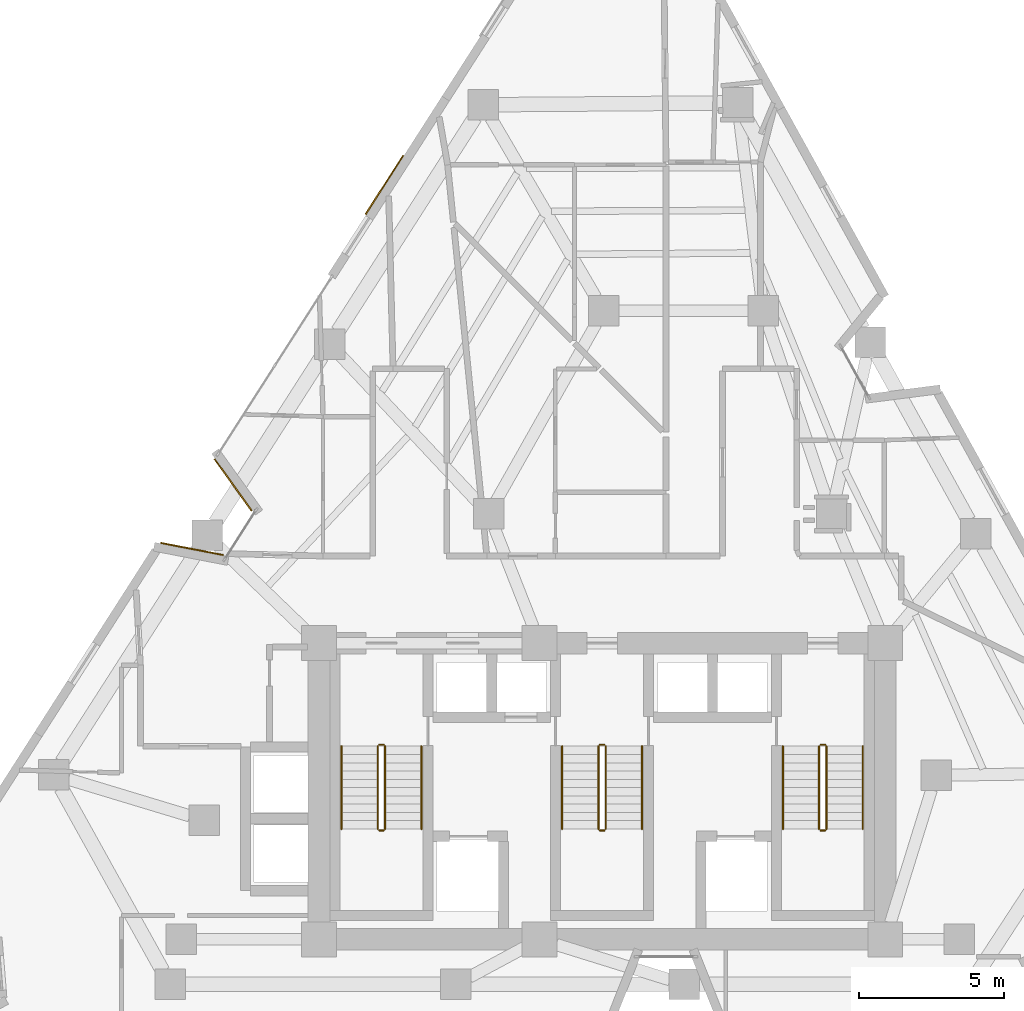
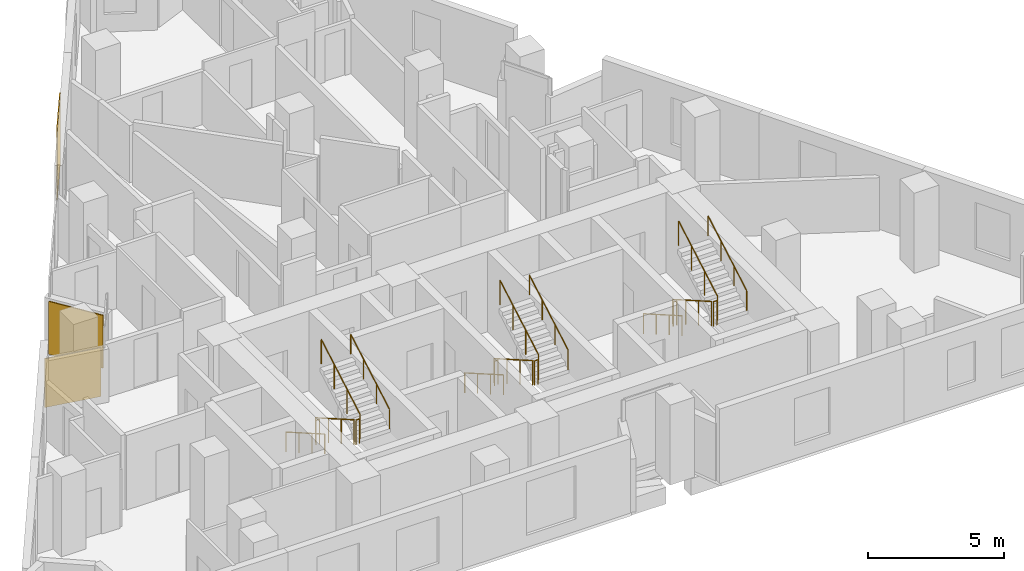
# One storey, part 10 of 11: 18 railings, 3 coverings.
"""IFC4 building model written with IfcOpenShell, lengths in metres."""

import ifcopenshell
import ifcopenshell.guid

model = None  # the IFC model being written
_history = None  # IfcOwnerHistory: only IFC2X3 demands one
_inside = {}  # id of a spatial element -> (the spatial element, [elements in it])
_under = {}  # id of a project, library or spatial element -> (it, [spatial elements below it])
_declared = {}  # id of a project -> (the project, [libraries it declares])
_typed = {}  # id of a type object -> (the type object, [elements of that type])
_made_of = {}  # id of a material, layer set ... -> (it, [elements and type objects made of it])


def new_model(schema):
    """Start an empty IFC model of exactly this schema.

    Asked for "IFC4X3", IfcOpenShell would pick the latest addendum, in which some entities
    have other attributes; the version numbers below select the first issue.
    IFC2X3 requires an IfcOwnerHistory on every rooted entity: one is made here for all.
    """
    global model, _history
    if schema == "IFC4X3":
        model = ifcopenshell.file(schema_version=(4, 3, 0, 0))
    else:
        model = ifcopenshell.file(schema=schema)
    _inside.clear()
    _under.clear()
    _declared.clear()
    _typed.clear()
    _made_of.clear()
    _history = None
    if model.schema == "IFC2X3":
        org = make("IfcOrganization", Name="unknown")
        user = make(
            "IfcPersonAndOrganization",
            ThePerson=make("IfcPerson", FamilyName="unknown"),
            TheOrganization=org,
        )
        app = make(
            "IfcApplication",
            ApplicationDeveloper=org,
            Version="unknown",
            ApplicationFullName="unknown",
            ApplicationIdentifier="unknown",
        )
        _history = make(
            "IfcOwnerHistory",
            OwningUser=user,
            OwningApplication=app,
            ChangeAction="ADDED",
            CreationDate=0,
        )
    return model


def make(cls, **values):
    """One entity of the class cls with the attributes given. An attribute that is None is left unset."""
    return model.create_entity(
        cls, **{name: value for name, value in values.items() if value is not None}
    )


def rooted(cls, **values):
    """An entity with a GlobalId (a new one), such as an element, a storey or a relation."""
    return make(cls, GlobalId=ifcopenshell.guid.new(), OwnerHistory=_history, **values)


def si_unit(unit_type, name, prefix=None):
    """IfcSIUnit, for example si_unit("LENGTHUNIT", "METRE", prefix="MILLI")."""
    return make("IfcSIUnit", UnitType=unit_type, Prefix=prefix, Name=name)


def assignment(units):
    """IfcUnitAssignment: the units of a project."""
    return None if units is None else make("IfcUnitAssignment", Units=units)


def point(xyz):
    """IfcCartesianPoint."""
    return None if xyz is None else make("IfcCartesianPoint", Coordinates=xyz)


def direction(xyz):
    """IfcDirection."""
    return None if xyz is None else make("IfcDirection", DirectionRatios=xyz)


def frame(location, z_axis=None, x_axis=None):
    """IfcAxis2Placement3D, a coordinate frame: its origin and axes. An axis left out is left unset."""
    return make(
        "IfcAxis2Placement3D",
        Location=point(location),
        Axis=direction(z_axis),
        RefDirection=direction(x_axis),
    )


def frame_2d(location, x_axis=None):
    """IfcAxis2Placement2D, a coordinate frame in the plane: its origin and x axis."""
    return make(
        "IfcAxis2Placement2D", Location=point(location), RefDirection=direction(x_axis)
    )


def origin():
    """The frame at (0, 0, 0) with its axes left unset."""
    return frame((0.0, 0.0, 0.0))


def origin_2d():
    """The frame at (0, 0) in the plane with its x axis left unset."""
    return frame_2d((0.0, 0.0))


def place(relative_to, where):
    """IfcLocalPlacement: puts the frame where relative to a parent placement (None: the world)."""
    return make(
        "IfcLocalPlacement", PlacementRelTo=relative_to, RelativePlacement=where
    )


def context(
    kind, dimensions, precision=None, world=None, true_north=None, identifier=None
):
    """IfcGeometricRepresentationContext, for example the 3D "Model" context."""
    return make(
        "IfcGeometricRepresentationContext",
        ContextIdentifier=identifier,
        ContextType=kind,
        CoordinateSpaceDimension=dimensions,
        Precision=precision,
        WorldCoordinateSystem=world,
        TrueNorth=true_north,
    )


def subcontext(parent, identifier, kind, view, scale=None):
    """IfcGeometricRepresentationSubContext, for example "Body" below "Model"."""
    return make(
        "IfcGeometricRepresentationSubContext",
        ContextIdentifier=identifier,
        ContextType=kind,
        ParentContext=parent,
        TargetScale=scale,
        TargetView=view,
    )


def project(units=None, contexts=None):
    """IfcProject with its units and contexts."""
    return rooted(
        "IfcProject",
        Name="project",
        RepresentationContexts=contexts,
        UnitsInContext=assignment(units),
    )


def spatial(cls, under=None, at=None, **own):
    """A site, building, storey or space (cls), placed at a placement, below another one or the project."""
    s = rooted(cls, ObjectPlacement=at, **own)
    if under is not None:
        _under.setdefault(under.id(), (under, []))[1].append(s)
    return s


def profile(cls, at=None, kind="AREA", **sizes):
    """A parametric profile (cls). Its sizes go by their IFC names, for example OverallWidth=200.0."""
    return make(cls, ProfileType=kind, Position=at, **sizes)


def rectangle(**sizes):
    """IfcRectangleProfileDef."""
    return profile("IfcRectangleProfileDef", **sizes)


def circle(**sizes):
    """IfcCircleProfileDef."""
    return profile("IfcCircleProfileDef", **sizes)


def extrude(swept, where, along, depth):
    """IfcExtrudedAreaSolid: the profile swept, set in the frame where, extruded along a direction by depth."""
    return make(
        "IfcExtrudedAreaSolid",
        SweptArea=swept,
        Position=where,
        ExtrudedDirection=direction(along),
        Depth=depth,
    )


def shape(context_of_items, identifier, shape_type, items):
    """IfcShapeRepresentation: the items that make up one representation, for example the "Body"."""
    return make(
        "IfcShapeRepresentation",
        ContextOfItems=context_of_items,
        RepresentationIdentifier=identifier,
        RepresentationType=shape_type,
        Items=items,
    )


def material(Name=None, Category=None):
    """IfcMaterial."""
    return make("IfcMaterial", Name=Name, Category=Category)


def layer(
    of_material, thickness, ventilated=None, Name=None, Category=None, Priority=None
):
    """IfcMaterialLayer: one layer of a wall or slab, of a material (None: an air gap)."""
    return make(
        "IfcMaterialLayer",
        Material=of_material,
        LayerThickness=thickness,
        IsVentilated=ventilated,
        Name=Name,
        Category=Category,
        Priority=Priority,
    )


def layer_set(layers, Name=None):
    """IfcMaterialLayerSet."""
    return make("IfcMaterialLayerSet", MaterialLayers=layers, LayerSetName=Name)


def made_of(thing, what):
    """Note that an element or type object is made of a material, layer set ...; save() writes the relation."""
    if what is not None:
        _made_of.setdefault(what.id(), (what, []))[1].append(thing)
    return thing


def type_object(cls, material=None, **own):
    """A type object (cls), such as IfcWallType, which elements share."""
    return made_of(rooted(cls, **own), material)


def element(
    cls,
    number,
    at=None,
    inside=None,
    cuts=None,
    type_object=None,
    material=None,
    context=None,
    identifier="Body",
    shape_type=None,
    held_by="IfcProductDefinitionShape",
    body=None,
    shapes=None,
    **own,
):
    """One element of the class cls, such as IfcWall. Its Tag is "e" and its number.

    at: its placement. inside: the storey or other place that contains it. cuts: it is an
    opening in that element (IfcRelVoidsElement). A single representation is given by context,
    identifier, shape_type and body (its items); several are given by shapes. held_by: the class
    of the entity that holds the representations. save() writes the other relations.
    """
    e = rooted(cls, Tag="e%d" % number, ObjectPlacement=at, **own)
    if body is not None:
        shapes = [shape(context, identifier, shape_type, body)]
    if shapes is not None:
        e.Representation = make(held_by, Representations=shapes)
    if inside is not None:
        _inside.setdefault(inside.id(), (inside, []))[1].append(e)
    if cuts is not None:
        rooted(
            "IfcRelVoidsElement", RelatingBuildingElement=cuts, RelatedOpeningElement=e
        )
    if type_object is not None:
        _typed.setdefault(type_object.id(), (type_object, []))[1].append(e)
    return made_of(e, material)


def aggregate(whole, parts):
    """IfcRelAggregates: a whole, such as a stair, and the parts it consists of."""
    return rooted("IfcRelAggregates", RelatingObject=whole, RelatedObjects=parts)


def save(model, path):
    """Write the relations noted so far, then the file.

    IfcRelAggregates (storeys below a building ...), IfcRelContainedInSpatialStructure (elements
    in a storey), IfcRelDefinesByType, IfcRelAssociatesMaterial and IfcRelDeclares: one each for
    every whole, place, type object, material and project.
    """
    for whole, parts in _under.values():
        aggregate(whole, parts)
    for where, things in _inside.values():
        rooted(
            "IfcRelContainedInSpatialStructure",
            RelatedElements=things,
            RelatingStructure=where,
        )
    for kind, things in _typed.values():
        rooted("IfcRelDefinesByType", RelatedObjects=things, RelatingType=kind)
    for what, things in _made_of.values():
        rooted("IfcRelAssociatesMaterial", RelatedObjects=things, RelatingMaterial=what)
    for by, libraries in _declared.values():
        rooted("IfcRelDeclares", RelatingContext=by, RelatedDefinitions=libraries)
    model.write(path)


model = new_model("IFC4")

# Units and contexts
model_context = context("Model", 3, precision=1e-05, world=origin(), true_north=direction((0.0, 1.0)))
body_context = subcontext(model_context, "Body", "Model", "MODEL_VIEW")
ifc_project = project(units=[si_unit("LENGTHUNIT", "METRE"), si_unit("AREAUNIT", "SQUARE_METRE"), si_unit("VOLUMEUNIT", "CUBIC_METRE"), si_unit("PLANEANGLEUNIT", "RADIAN"), si_unit("MASSUNIT", "GRAM", prefix="KILO")], contexts=[model_context])

# Site, building, storey
site_placement = place(None, origin())
site = spatial("IfcSite", under=ifc_project, at=site_placement, CompositionType="ELEMENT")
building_placement = place(site_placement, origin())
building = spatial("IfcBuilding", under=site, at=building_placement, Name="Almagre Mirador Tower", CompositionType="ELEMENT")
storey_placement = place(building_placement, frame((0.0, 0.0, 168.0)))
storey = spatial("IfcBuildingStorey", under=building, at=storey_placement, Name="L43", CompositionType="ELEMENT", Elevation=168.0)

# Coverings
ifc_material_1 = material(Name="Almagre terracotta architectural cladding", Category="masonry")
ifc_layer = layer(ifc_material_1, 0.044921875)
ifc_layer_set = layer_set([ifc_layer], Name="Almagre terracotta architectural cladding")
covering_type = type_object("IfcCoveringType", Name="COV-CLAD-ALMAGRE", PredefinedType="CLADDING", material=ifc_layer_set)
covering_1_placement = place(storey_placement, frame((23.1767578125, 17.992431640625, 0.10009765625), z_axis=(0.0, 0.0, 1.0), x_axis=(0.981760154029, -0.190123643878, 0.0)))
element("IfcCovering", 1, at=covering_1_placement, inside=storey, type_object=covering_type, Name="L43 almagre terracotta pier cladding", PredefinedType="CLADDING", context=body_context, shape_type="SweptSolid", body=[
    extrude(rectangle(XDim=2.194091796875, YDim=0.044921875, at=origin_2d()), origin(), (0.0, 0.0, 1.0), 2.197998046875),
])
covering_2_placement = place(storey_placement, frame((24.59228515625, 20.202392578125, 0.10009765625), z_axis=(0.0, 0.0, 1.0), x_axis=(-0.583002488864, 0.812470367446, 0.0)))
element("IfcCovering", 2, at=covering_2_placement, inside=storey, type_object=covering_type, Name="L43 almagre terracotta pier cladding", PredefinedType="CLADDING", context=body_context, shape_type="SweptSolid", body=[
    extrude(rectangle(XDim=2.194091796875, YDim=0.044921875, at=origin_2d()), origin(), (0.0, 0.0, 1.0), 2.375),
])
covering_3_placement = place(storey_placement, frame((29.8046875, 30.530517578125, 0.10009765625), z_axis=(0.0, 0.0, 1.0), x_axis=(0.539549843501, 0.84195366047, 0.0)))
element("IfcCovering", 3, at=covering_3_placement, inside=storey, type_object=covering_type, Name="L43 almagre terracotta pier cladding", PredefinedType="CLADDING", context=body_context, shape_type="SweptSolid", body=[
    extrude(rectangle(XDim=2.39990234375, YDim=0.044921875, at=origin_2d()), origin(), (0.0, 0.0, 1.0), 3.14990234375),
])

# Railings
ifc_material_2 = material(Name="Painted galvanized steel", Category="steel")
railing_type_1 = type_object("IfcRailingType", Name="RLG-GRD-1100", PredefinedType="GUARDRAIL", material=ifc_material_2)
railing_1_placement = place(storey_placement, frame((29.574951171875, 11.199951171875, 0.16357421875)))
element("IfcRailing", 4, at=railing_1_placement, inside=storey, type_object=railing_type_1, Name="L43 ST-1 stair guard 1", PredefinedType="GUARDRAIL", context=body_context, shape_type="SweptSolid", body=[
    extrude(circle(Radius=0.02392578125, at=origin_2d()), frame((0.0, 0.0, 1.09619140625), z_axis=(0.0, -0.867194282975, 0.497969954491), x_axis=(1.0, 0.0, 0.0)), (0.0, 0.0, 1.0), 3.286376953125),
    extrude(circle(Radius=0.02099609375, at=origin_2d()), origin(), (0.0, 0.0, 1.0), 1.072021484375),
    extrude(circle(Radius=0.02099609375, at=origin_2d()), frame((0.0, -0.949951171875, 0.54541015625)), (0.0, 0.0, 1.0), 1.072021484375),
    extrude(circle(Radius=0.02099609375, at=origin_2d()), frame((0.0, -1.89990234375, 1.091064453125)), (0.0, 0.0, 1.0), 1.072021484375),
    extrude(circle(Radius=0.02099609375, at=origin_2d()), frame((0.0, -2.849853515625, 1.636474609375)), (0.0, 0.0, 1.0), 1.072021484375),
])
railing_2_placement = place(storey_placement, frame((29.625, 8.300048828125, 1.800048828125)))
element("IfcRailing", 5, at=railing_2_placement, inside=storey, type_object=railing_type_1, Name="L43 ST-1 stair guard 2", PredefinedType="GUARDRAIL", context=body_context, shape_type="SweptSolid", body=[
    extrude(circle(Radius=0.02392578125, at=origin_2d()), frame((0.0, 0.0, 1.09619140625), z_axis=(1.0, 0.0, 0.0), x_axis=(0.0, 1.0, 0.0)), (0.0, 0.0, 1.0), 0.14990234375),
    extrude(circle(Radius=0.02099609375, at=origin_2d()), origin(), (0.0, 0.0, 1.0), 1.072021484375),
    extrude(circle(Radius=0.02099609375, at=origin_2d()), frame((0.14990234375, 0.0, 0.0)), (0.0, 0.0, 1.0), 1.072021484375),
])
railing_3_placement = place(storey_placement, frame((29.824951171875, 8.35009765625, 1.963623046875)))
element("IfcRailing", 6, at=railing_3_placement, inside=storey, type_object=railing_type_1, Name="L43 ST-1 stair guard 3", PredefinedType="GUARDRAIL", context=body_context, shape_type="SweptSolid", body=[
    extrude(circle(Radius=0.02392578125, at=origin_2d()), frame((0.0, 0.0, 1.09619140625), z_axis=(0.0, 0.867194282975, 0.497969954491), x_axis=(-1.0, 0.0, 0.0)), (0.0, 0.0, 1.0), 3.286376953125),
    extrude(circle(Radius=0.02099609375, at=origin_2d()), origin(), (0.0, 0.0, 1.0), 1.072021484375),
    extrude(circle(Radius=0.02099609375, at=origin_2d()), frame((0.0, 0.949951171875, 0.54541015625)), (0.0, 0.0, 1.0), 1.072021484375),
    extrude(circle(Radius=0.02099609375, at=origin_2d()), frame((0.0, 1.89990234375, 1.091064453125)), (0.0, 0.0, 1.0), 1.072021484375),
    extrude(circle(Radius=0.02099609375, at=origin_2d()), frame((0.0, 2.849853515625, 1.636474609375)), (0.0, 0.0, 1.0), 1.072021484375),
])
railing_4_placement = place(storey_placement, frame((29.625, 11.25, 0.0)))
element("IfcRailing", 7, at=railing_4_placement, inside=storey, type_object=railing_type_1, Name="L43 ST-1 stair guard 4", PredefinedType="GUARDRAIL", context=body_context, shape_type="SweptSolid", body=[
    extrude(circle(Radius=0.02392578125, at=origin_2d()), frame((0.0, 0.0, 1.09619140625), z_axis=(1.0, 0.0, 0.0), x_axis=(0.0, 1.0, 0.0)), (0.0, 0.0, 1.0), 0.14990234375),
    extrude(circle(Radius=0.02099609375, at=origin_2d()), origin(), (0.0, 0.0, 1.0), 1.072021484375),
    extrude(circle(Radius=0.02099609375, at=origin_2d()), frame((0.14990234375, 0.0, 0.0)), (0.0, 0.0, 1.0), 1.072021484375),
])
railing_5_placement = place(storey_placement, frame((37.175048828125, 11.199951171875, 0.16357421875)))
element("IfcRailing", 8, at=railing_5_placement, inside=storey, type_object=railing_type_1, Name="L43 ST-2 stair guard 1", PredefinedType="GUARDRAIL", context=body_context, shape_type="SweptSolid", body=[
    extrude(circle(Radius=0.02392578125, at=origin_2d()), frame((0.0, 0.0, 1.09619140625), z_axis=(0.0, -0.867194282975, 0.497969954491), x_axis=(1.0, 0.0, 0.0)), (0.0, 0.0, 1.0), 3.286376953125),
    extrude(circle(Radius=0.02099609375, at=origin_2d()), origin(), (0.0, 0.0, 1.0), 1.072021484375),
    extrude(circle(Radius=0.02099609375, at=origin_2d()), frame((0.0, -0.949951171875, 0.54541015625)), (0.0, 0.0, 1.0), 1.072021484375),
    extrude(circle(Radius=0.02099609375, at=origin_2d()), frame((0.0, -1.89990234375, 1.091064453125)), (0.0, 0.0, 1.0), 1.072021484375),
    extrude(circle(Radius=0.02099609375, at=origin_2d()), frame((0.0, -2.849853515625, 1.636474609375)), (0.0, 0.0, 1.0), 1.072021484375),
])
railing_6_placement = place(storey_placement, frame((37.22509765625, 8.300048828125, 1.800048828125)))
element("IfcRailing", 9, at=railing_6_placement, inside=storey, type_object=railing_type_1, Name="L43 ST-2 stair guard 2", PredefinedType="GUARDRAIL", context=body_context, shape_type="SweptSolid", body=[
    extrude(circle(Radius=0.02392578125, at=origin_2d()), frame((0.0, 0.0, 1.09619140625), z_axis=(1.0, 0.0, 0.0), x_axis=(0.0, 1.0, 0.0)), (0.0, 0.0, 1.0), 0.14990234375),
    extrude(circle(Radius=0.02099609375, at=origin_2d()), origin(), (0.0, 0.0, 1.0), 1.072021484375),
    extrude(circle(Radius=0.02099609375, at=origin_2d()), frame((0.14990234375, 0.0, 0.0)), (0.0, 0.0, 1.0), 1.072021484375),
])
railing_7_placement = place(storey_placement, frame((37.425048828125, 8.35009765625, 1.963623046875)))
element("IfcRailing", 10, at=railing_7_placement, inside=storey, type_object=railing_type_1, Name="L43 ST-2 stair guard 3", PredefinedType="GUARDRAIL", context=body_context, shape_type="SweptSolid", body=[
    extrude(circle(Radius=0.02392578125, at=origin_2d()), frame((0.0, 0.0, 1.09619140625), z_axis=(0.0, 0.867194282975, 0.497969954491), x_axis=(-1.0, 0.0, 0.0)), (0.0, 0.0, 1.0), 3.286376953125),
    extrude(circle(Radius=0.02099609375, at=origin_2d()), origin(), (0.0, 0.0, 1.0), 1.072021484375),
    extrude(circle(Radius=0.02099609375, at=origin_2d()), frame((0.0, 0.949951171875, 0.54541015625)), (0.0, 0.0, 1.0), 1.072021484375),
    extrude(circle(Radius=0.02099609375, at=origin_2d()), frame((0.0, 1.89990234375, 1.091064453125)), (0.0, 0.0, 1.0), 1.072021484375),
    extrude(circle(Radius=0.02099609375, at=origin_2d()), frame((0.0, 2.849853515625, 1.636474609375)), (0.0, 0.0, 1.0), 1.072021484375),
])
railing_8_placement = place(storey_placement, frame((37.22509765625, 11.25, 0.0)))
element("IfcRailing", 11, at=railing_8_placement, inside=storey, type_object=railing_type_1, Name="L43 ST-2 stair guard 4", PredefinedType="GUARDRAIL", context=body_context, shape_type="SweptSolid", body=[
    extrude(circle(Radius=0.02392578125, at=origin_2d()), frame((0.0, 0.0, 1.09619140625), z_axis=(1.0, 0.0, 0.0), x_axis=(0.0, 1.0, 0.0)), (0.0, 0.0, 1.0), 0.14990234375),
    extrude(circle(Radius=0.02099609375, at=origin_2d()), origin(), (0.0, 0.0, 1.0), 1.072021484375),
    extrude(circle(Radius=0.02099609375, at=origin_2d()), frame((0.14990234375, 0.0, 0.0)), (0.0, 0.0, 1.0), 1.072021484375),
])
railing_9_placement = place(storey_placement, frame((44.77490234375, 11.199951171875, 0.16357421875)))
element("IfcRailing", 12, at=railing_9_placement, inside=storey, type_object=railing_type_1, Name="L43 ST-3 stair guard 1", PredefinedType="GUARDRAIL", context=body_context, shape_type="SweptSolid", body=[
    extrude(circle(Radius=0.02392578125, at=origin_2d()), frame((0.0, 0.0, 1.09619140625), z_axis=(0.0, -0.867194282975, 0.497969954491), x_axis=(1.0, 0.0, 0.0)), (0.0, 0.0, 1.0), 3.286376953125),
    extrude(circle(Radius=0.02099609375, at=origin_2d()), origin(), (0.0, 0.0, 1.0), 1.072021484375),
    extrude(circle(Radius=0.02099609375, at=origin_2d()), frame((0.0, -0.949951171875, 0.54541015625)), (0.0, 0.0, 1.0), 1.072021484375),
    extrude(circle(Radius=0.02099609375, at=origin_2d()), frame((0.0, -1.89990234375, 1.091064453125)), (0.0, 0.0, 1.0), 1.072021484375),
    extrude(circle(Radius=0.02099609375, at=origin_2d()), frame((0.0, -2.849853515625, 1.636474609375)), (0.0, 0.0, 1.0), 1.072021484375),
])
railing_10_placement = place(storey_placement, frame((44.824951171875, 8.300048828125, 1.800048828125)))
element("IfcRailing", 13, at=railing_10_placement, inside=storey, type_object=railing_type_1, Name="L43 ST-3 stair guard 2", PredefinedType="GUARDRAIL", context=body_context, shape_type="SweptSolid", body=[
    extrude(circle(Radius=0.02392578125, at=origin_2d()), frame((0.0, 0.0, 1.09619140625), z_axis=(1.0, 0.0, 0.0), x_axis=(0.0, 1.0, 0.0)), (0.0, 0.0, 1.0), 0.150146484375),
    extrude(circle(Radius=0.02099609375, at=origin_2d()), origin(), (0.0, 0.0, 1.0), 1.072021484375),
    extrude(circle(Radius=0.02099609375, at=origin_2d()), frame((0.150146484375, 0.0, 0.0)), (0.0, 0.0, 1.0), 1.072021484375),
])
railing_11_placement = place(storey_placement, frame((45.02490234375, 8.35009765625, 1.963623046875)))
element("IfcRailing", 14, at=railing_11_placement, inside=storey, type_object=railing_type_1, Name="L43 ST-3 stair guard 3", PredefinedType="GUARDRAIL", context=body_context, shape_type="SweptSolid", body=[
    extrude(circle(Radius=0.02392578125, at=origin_2d()), frame((0.0, 0.0, 1.09619140625), z_axis=(0.0, 0.867194282975, 0.497969954491), x_axis=(-1.0, 0.0, 0.0)), (0.0, 0.0, 1.0), 3.286376953125),
    extrude(circle(Radius=0.02099609375, at=origin_2d()), origin(), (0.0, 0.0, 1.0), 1.072021484375),
    extrude(circle(Radius=0.02099609375, at=origin_2d()), frame((0.0, 0.949951171875, 0.54541015625)), (0.0, 0.0, 1.0), 1.072021484375),
    extrude(circle(Radius=0.02099609375, at=origin_2d()), frame((0.0, 1.89990234375, 1.091064453125)), (0.0, 0.0, 1.0), 1.072021484375),
    extrude(circle(Radius=0.02099609375, at=origin_2d()), frame((0.0, 2.849853515625, 1.636474609375)), (0.0, 0.0, 1.0), 1.072021484375),
])
railing_12_placement = place(storey_placement, frame((44.824951171875, 11.25, 0.0)))
element("IfcRailing", 15, at=railing_12_placement, inside=storey, type_object=railing_type_1, Name="L43 ST-3 stair guard 4", PredefinedType="GUARDRAIL", context=body_context, shape_type="SweptSolid", body=[
    extrude(circle(Radius=0.02392578125, at=origin_2d()), frame((0.0, 0.0, 1.09619140625), z_axis=(1.0, 0.0, 0.0), x_axis=(0.0, 1.0, 0.0)), (0.0, 0.0, 1.0), 0.150146484375),
    extrude(circle(Radius=0.02099609375, at=origin_2d()), origin(), (0.0, 0.0, 1.0), 1.072021484375),
    extrude(circle(Radius=0.02099609375, at=origin_2d()), frame((0.150146484375, 0.0, 0.0)), (0.0, 0.0, 1.0), 1.072021484375),
])
ifc_material_3 = material(Name="Brushed stainless steel", Category="steel")
railing_type_2 = type_object("IfcRailingType", Name="RLG-HND-915", PredefinedType="HANDRAIL", material=ifc_material_3)
railing_13_placement = place(storey_placement, frame((28.324951171875, 11.199951171875, 0.16357421875)))
element("IfcRailing", 16, at=railing_13_placement, inside=storey, type_object=railing_type_2, Name="L43 ST-1 stair handrail 1", PredefinedType="HANDRAIL", context=body_context, shape_type="SweptSolid", body=[
    extrude(circle(Radius=0.02392578125, at=origin_2d()), frame((0.0, 0.0, 0.89111328125), z_axis=(0.0, -0.867194282975, 0.497969954491), x_axis=(1.0, 0.0, 0.0)), (0.0, 0.0, 1.0), 3.286376953125),
    extrude(circle(Radius=0.02099609375, at=origin_2d()), origin(), (0.0, 0.0, 1.0), 0.866943359375),
    extrude(circle(Radius=0.02099609375, at=origin_2d()), frame((0.0, -0.949951171875, 0.54541015625)), (0.0, 0.0, 1.0), 0.866943359375),
    extrude(circle(Radius=0.02099609375, at=origin_2d()), frame((0.0, -1.89990234375, 1.091064453125)), (0.0, 0.0, 1.0), 0.866943359375),
    extrude(circle(Radius=0.02099609375, at=origin_2d()), frame((0.0, -2.849853515625, 1.636474609375)), (0.0, 0.0, 1.0), 0.866943359375),
])
railing_14_placement = place(storey_placement, frame((31.074951171875, 8.35009765625, 1.963623046875)))
element("IfcRailing", 17, at=railing_14_placement, inside=storey, type_object=railing_type_2, Name="L43 ST-1 stair handrail 2", PredefinedType="HANDRAIL", context=body_context, shape_type="SweptSolid", body=[
    extrude(circle(Radius=0.02392578125, at=origin_2d()), frame((0.0, 0.0, 0.89111328125), z_axis=(0.0, 0.867194282975, 0.497969954491), x_axis=(-1.0, 0.0, 0.0)), (0.0, 0.0, 1.0), 3.286376953125),
    extrude(circle(Radius=0.02099609375, at=origin_2d()), origin(), (0.0, 0.0, 1.0), 0.866943359375),
    extrude(circle(Radius=0.02099609375, at=origin_2d()), frame((0.0, 0.949951171875, 0.54541015625)), (0.0, 0.0, 1.0), 0.866943359375),
    extrude(circle(Radius=0.02099609375, at=origin_2d()), frame((0.0, 1.89990234375, 1.091064453125)), (0.0, 0.0, 1.0), 0.866943359375),
    extrude(circle(Radius=0.02099609375, at=origin_2d()), frame((0.0, 2.849853515625, 1.636474609375)), (0.0, 0.0, 1.0), 0.866943359375),
])
railing_15_placement = place(storey_placement, frame((35.925048828125, 11.199951171875, 0.16357421875)))
element("IfcRailing", 18, at=railing_15_placement, inside=storey, type_object=railing_type_2, Name="L43 ST-2 stair handrail 1", PredefinedType="HANDRAIL", context=body_context, shape_type="SweptSolid", body=[
    extrude(circle(Radius=0.02392578125, at=origin_2d()), frame((0.0, 0.0, 0.89111328125), z_axis=(0.0, -0.867194282975, 0.497969954491), x_axis=(1.0, 0.0, 0.0)), (0.0, 0.0, 1.0), 3.286376953125),
    extrude(circle(Radius=0.02099609375, at=origin_2d()), origin(), (0.0, 0.0, 1.0), 0.866943359375),
    extrude(circle(Radius=0.02099609375, at=origin_2d()), frame((0.0, -0.949951171875, 0.54541015625)), (0.0, 0.0, 1.0), 0.866943359375),
    extrude(circle(Radius=0.02099609375, at=origin_2d()), frame((0.0, -1.89990234375, 1.091064453125)), (0.0, 0.0, 1.0), 0.866943359375),
    extrude(circle(Radius=0.02099609375, at=origin_2d()), frame((0.0, -2.849853515625, 1.636474609375)), (0.0, 0.0, 1.0), 0.866943359375),
])
railing_16_placement = place(storey_placement, frame((38.675048828125, 8.35009765625, 1.963623046875)))
element("IfcRailing", 19, at=railing_16_placement, inside=storey, type_object=railing_type_2, Name="L43 ST-2 stair handrail 2", PredefinedType="HANDRAIL", context=body_context, shape_type="SweptSolid", body=[
    extrude(circle(Radius=0.02392578125, at=origin_2d()), frame((0.0, 0.0, 0.89111328125), z_axis=(0.0, 0.867194282975, 0.497969954491), x_axis=(-1.0, 0.0, 0.0)), (0.0, 0.0, 1.0), 3.286376953125),
    extrude(circle(Radius=0.02099609375, at=origin_2d()), origin(), (0.0, 0.0, 1.0), 0.866943359375),
    extrude(circle(Radius=0.02099609375, at=origin_2d()), frame((0.0, 0.949951171875, 0.54541015625)), (0.0, 0.0, 1.0), 0.866943359375),
    extrude(circle(Radius=0.02099609375, at=origin_2d()), frame((0.0, 1.89990234375, 1.091064453125)), (0.0, 0.0, 1.0), 0.866943359375),
    extrude(circle(Radius=0.02099609375, at=origin_2d()), frame((0.0, 2.849853515625, 1.636474609375)), (0.0, 0.0, 1.0), 0.866943359375),
])
railing_17_placement = place(storey_placement, frame((43.52490234375, 11.199951171875, 0.16357421875)))
element("IfcRailing", 20, at=railing_17_placement, inside=storey, type_object=railing_type_2, Name="L43 ST-3 stair handrail 1", PredefinedType="HANDRAIL", context=body_context, shape_type="SweptSolid", body=[
    extrude(circle(Radius=0.02392578125, at=origin_2d()), frame((0.0, 0.0, 0.89111328125), z_axis=(0.0, -0.867194282975, 0.497969954491), x_axis=(1.0, 0.0, 0.0)), (0.0, 0.0, 1.0), 3.286376953125),
    extrude(circle(Radius=0.02099609375, at=origin_2d()), origin(), (0.0, 0.0, 1.0), 0.866943359375),
    extrude(circle(Radius=0.02099609375, at=origin_2d()), frame((0.0, -0.949951171875, 0.54541015625)), (0.0, 0.0, 1.0), 0.866943359375),
    extrude(circle(Radius=0.02099609375, at=origin_2d()), frame((0.0, -1.89990234375, 1.091064453125)), (0.0, 0.0, 1.0), 0.866943359375),
    extrude(circle(Radius=0.02099609375, at=origin_2d()), frame((0.0, -2.849853515625, 1.636474609375)), (0.0, 0.0, 1.0), 0.866943359375),
])
railing_18_placement = place(storey_placement, frame((46.27490234375, 8.35009765625, 1.963623046875)))
element("IfcRailing", 21, at=railing_18_placement, inside=storey, type_object=railing_type_2, Name="L43 ST-3 stair handrail 2", PredefinedType="HANDRAIL", context=body_context, shape_type="SweptSolid", body=[
    extrude(circle(Radius=0.02392578125, at=origin_2d()), frame((0.0, 0.0, 0.89111328125), z_axis=(0.0, 0.867194282975, 0.497969954491), x_axis=(-1.0, 0.0, 0.0)), (0.0, 0.0, 1.0), 3.286376953125),
    extrude(circle(Radius=0.02099609375, at=origin_2d()), origin(), (0.0, 0.0, 1.0), 0.866943359375),
    extrude(circle(Radius=0.02099609375, at=origin_2d()), frame((0.0, 0.949951171875, 0.54541015625)), (0.0, 0.0, 1.0), 0.866943359375),
    extrude(circle(Radius=0.02099609375, at=origin_2d()), frame((0.0, 1.89990234375, 1.091064453125)), (0.0, 0.0, 1.0), 0.866943359375),
    extrude(circle(Radius=0.02099609375, at=origin_2d()), frame((0.0, 2.849853515625, 1.636474609375)), (0.0, 0.0, 1.0), 0.866943359375),
])

save(model, "model.ifc")
